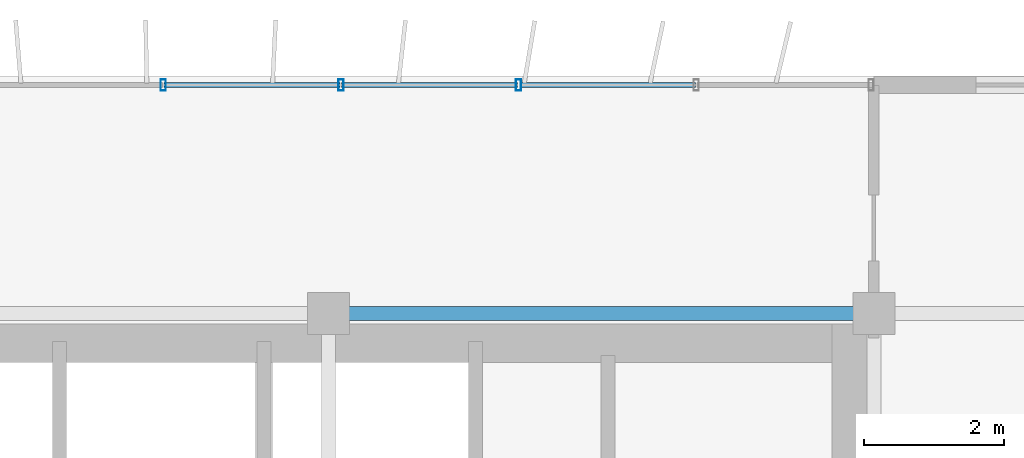
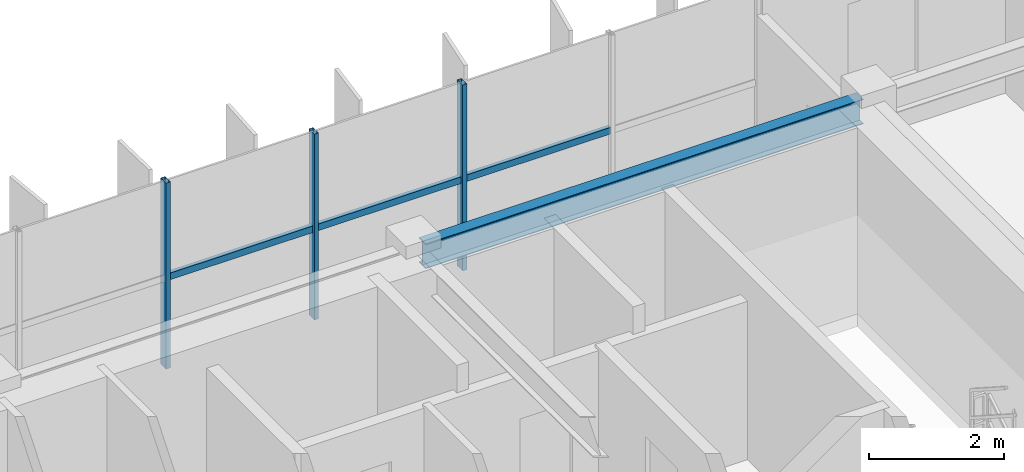
# One storey, part 12 of 23: 6 members, 1 beam, 1 element without a shape of its own.
"""IFC4 building model written with IfcOpenShell, lengths in metres."""

from ifc_helpers import new_model, si_unit, direction, frame, origin, origin_2d, place, context, subcontext, project, spatial, hollow_rectangle, i_section, extrude, source, transform, mapped, material, material_profile, profile_set, type_object, element, aggregate, save


model = new_model("IFC4")

# Units and contexts
model_context = context("Model", 3, precision=1e-05, world=origin(), true_north=direction((0.0, 1.0)))
body_context = subcontext(model_context, "Body", "Model", "MODEL_VIEW")
ifc_project = project(units=[si_unit("LENGTHUNIT", "METRE"), si_unit("AREAUNIT", "SQUARE_METRE"), si_unit("VOLUMEUNIT", "CUBIC_METRE"), si_unit("PLANEANGLEUNIT", "RADIAN"), si_unit("MASSUNIT", "GRAM", prefix="KILO")], contexts=[model_context])

# Site, building, storey
site_placement = place(None, origin())
site = spatial("IfcSite", under=ifc_project, at=site_placement, CompositionType="ELEMENT")
building_placement = place(site_placement, origin())
building = spatial("IfcBuilding", under=site, at=building_placement, Name="Trelvane Seafront Commons", CompositionType="ELEMENT")
storey_placement = place(building_placement, frame((0.0, 0.0, 263.10009765625)))
storey = spatial("IfcBuildingStorey", under=building, at=storey_placement, Name="L68", CompositionType="ELEMENT", Elevation=263.10009765625)

# Beam
ifc_material_1 = material(Name="Steel SM355 (S355)", Category="steel")
ifc_material_profile_1 = material_profile(ifc_material_1, i_section(OverallWidth=0.199951171875, OverallDepth=0.449951171875, WebThickness=0.009033203125, FlangeThickness=0.013916015625, at=origin_2d()), Name="H-450x200x9x14")
ifc_profile_set_1 = profile_set([ifc_material_profile_1], Name="Steel SM355 (S355)")
beam_type = type_object("IfcBeamType", Name="STR-SPD-H450", PredefinedType="SPANDREL", material=ifc_profile_set_1)
shared_shape_1 = source(origin(), body_context, "Body", "SweptSolid", [
    extrude(i_section(OverallWidth=0.199951171875, OverallDepth=0.449951171875, WebThickness=0.009033203125, FlangeThickness=0.013916015625, at=origin_2d()), origin(), (0.0, 0.0, 1.0), 7.5),
])
beam_placement = place(storey_placement, frame((51.14990234375, 45.10009765625, 3.14501953125), z_axis=(1.0, 0.0, 0.0), x_axis=(0.0, 1.0, 0.0)))
element("IfcBeam", 1, at=beam_placement, inside=storey, type_object=beam_type, Name="L68 Primary Girder G-27", PredefinedType="SPANDREL", context=body_context, shape_type="MappedRepresentation", body=[
    mapped(shared_shape_1, transform((0.0, 0.0, 0.0), x_axis=(1.0, 0.0, 0.0), y_axis=(0.0, 1.0, 0.0), z_axis=(0.0, 0.0, 1.0), scale=1.0)),
])

# Curtain wall, members
ifc_material_2 = material(Name="Anodised pale-silver aluminium", Category="aluminium")
curtain_wall_type = type_object("IfcCurtainWallType", Name="ARCH-CW5-UPTOWER", PredefinedType="NOTDEFINED", material=ifc_material_2)
curtain_wall_placement = place(storey_placement, origin())
curtain_wall = element("IfcCurtainWall", 2, at=curtain_wall_placement, inside=storey, type_object=curtain_wall_type, Name="CW-L68-0112", PredefinedType="NOTDEFINED")
ifc_material_profile_2 = material_profile(ifc_material_2, hollow_rectangle(XDim=0.070068359375, YDim=0.1201171875, WallThickness=0.00390625, at=origin_2d()), Name="TRAN-70x120x4")
ifc_profile_set_2 = profile_set([ifc_material_profile_2], Name="Anodised pale-silver aluminium")
member_type_1 = type_object("IfcMemberType", Name="ARCH-CW-TRAN-120", PredefinedType="USERDEFINED", material=ifc_profile_set_2)
shared_shape_2 = source(origin(), body_context, "Body", "SweptSolid", [
    extrude(hollow_rectangle(XDim=0.070068359375, YDim=0.1201171875, WallThickness=0.00390625, at=origin_2d()), origin(), (0.0, 0.0, 1.0), 2.51708984375),
])
member_1_placement = place(storey_placement, frame((51.1884765625, 48.3701171875, 1.617919921875), z_axis=(1.0, 0.0, 0.0), x_axis=(0.0, 1.0, 0.0)))
member_1 = element("IfcMember", 3, at=member_1_placement, type_object=member_type_1, Name="CW-L68-0112-T14", ObjectType="TRANSOM", PredefinedType="USERDEFINED", context=body_context, shape_type="MappedRepresentation", body=[
    mapped(shared_shape_2, transform((0.0, 0.0, 0.0), x_axis=(1.0, 0.0, 0.0), y_axis=(0.0, 1.0, 0.0), z_axis=(0.0, 0.0, 1.0), scale=1.0)),
])
shared_shape_3 = source(origin(), body_context, "Body", "SweptSolid", [
    extrude(hollow_rectangle(XDim=0.070068359375, YDim=0.1201171875, WallThickness=0.00390625, at=origin_2d()), origin(), (0.0, 0.0, 1.0), 2.517333984375),
])
member_2_placement = place(storey_placement, frame((48.647216796875, 48.3701171875, 1.617919921875), z_axis=(1.0, 0.0, 0.0), x_axis=(0.0, 1.0, 0.0)))
member_2 = element("IfcMember", 4, at=member_2_placement, type_object=member_type_1, Name="CW-L68-0112-T13", ObjectType="TRANSOM", PredefinedType="USERDEFINED", context=body_context, shape_type="MappedRepresentation", body=[
    mapped(shared_shape_3, transform((0.0, 0.0, 0.0), x_axis=(1.0, 0.0, 0.0), y_axis=(0.0, 1.0, 0.0), z_axis=(0.0, 0.0, 1.0), scale=1.0)),
])
member_3_placement = place(storey_placement, frame((53.7294921875, 48.3701171875, 1.617919921875), z_axis=(1.0, 0.0, 0.0), x_axis=(0.0, 1.0, 0.0)))
member_3 = element("IfcMember", 5, at=member_3_placement, type_object=member_type_1, Name="CW-L68-0112-T15", ObjectType="TRANSOM", PredefinedType="USERDEFINED", context=body_context, shape_type="MappedRepresentation", body=[
    mapped(shared_shape_3, transform((0.0, 0.0, 0.0), x_axis=(1.0, 0.0, 0.0), y_axis=(0.0, 1.0, 0.0), z_axis=(0.0, 0.0, 1.0), scale=1.0)),
])
ifc_material_profile_3 = material_profile(ifc_material_2, hollow_rectangle(XDim=0.074951171875, YDim=0.159912109375, WallThickness=0.00390625, at=origin_2d()), Name="MULL-75x160x4")
ifc_profile_set_3 = profile_set([ifc_material_profile_3], Name="Anodised pale-silver aluminium")
member_type_2 = type_object("IfcMemberType", Name="ARCH-CW-MULL-160", PredefinedType="MULLION", material=ifc_profile_set_3)
shared_shape_4 = source(origin(), body_context, "Body", "SweptSolid", [
    extrude(hollow_rectangle(XDim=0.074951171875, YDim=0.159912109375, WallThickness=0.00390625, at=origin_2d()), origin(), (0.0, 0.0, 1.0), 3.369873046875),
])
member_4_placement = place(storey_placement, frame((48.63525390625, 48.3701171875, 0.0), z_axis=(0.0, 0.0, 1.0), x_axis=(1.0, 0.0, 0.0)))
member_4 = element("IfcMember", 6, at=member_4_placement, type_object=member_type_2, Name="CW-L68-0112-M13", PredefinedType="MULLION", context=body_context, shape_type="MappedRepresentation", body=[
    mapped(shared_shape_4, transform((0.0, 0.0, 0.0), x_axis=(1.0, 0.0, 0.0), y_axis=(0.0, 1.0, 0.0), z_axis=(0.0, 0.0, 1.0), scale=1.0)),
])
member_5_placement = place(storey_placement, frame((51.176513671875, 48.3701171875, 0.0), z_axis=(0.0, 0.0, 1.0), x_axis=(1.0, 0.0, 0.0)))
member_5 = element("IfcMember", 7, at=member_5_placement, type_object=member_type_2, Name="CW-L68-0112-M14", PredefinedType="MULLION", context=body_context, shape_type="MappedRepresentation", body=[
    mapped(shared_shape_4, transform((0.0, 0.0, 0.0), x_axis=(1.0, 0.0, 0.0), y_axis=(0.0, 1.0, 0.0), z_axis=(0.0, 0.0, 1.0), scale=1.0)),
])
member_6_placement = place(storey_placement, frame((53.717529296875, 48.3701171875, 0.0), z_axis=(0.0, 0.0, 1.0), x_axis=(1.0, 0.0, 0.0)))
member_6 = element("IfcMember", 8, at=member_6_placement, type_object=member_type_2, Name="CW-L68-0112-M15", PredefinedType="MULLION", context=body_context, shape_type="MappedRepresentation", body=[
    mapped(shared_shape_4, transform((0.0, 0.0, 0.0), x_axis=(1.0, 0.0, 0.0), y_axis=(0.0, 1.0, 0.0), z_axis=(0.0, 0.0, 1.0), scale=1.0)),
])
aggregate(curtain_wall, [member_4, member_5, member_6, member_2, member_1, member_3])

save(model, "model.ifc")
